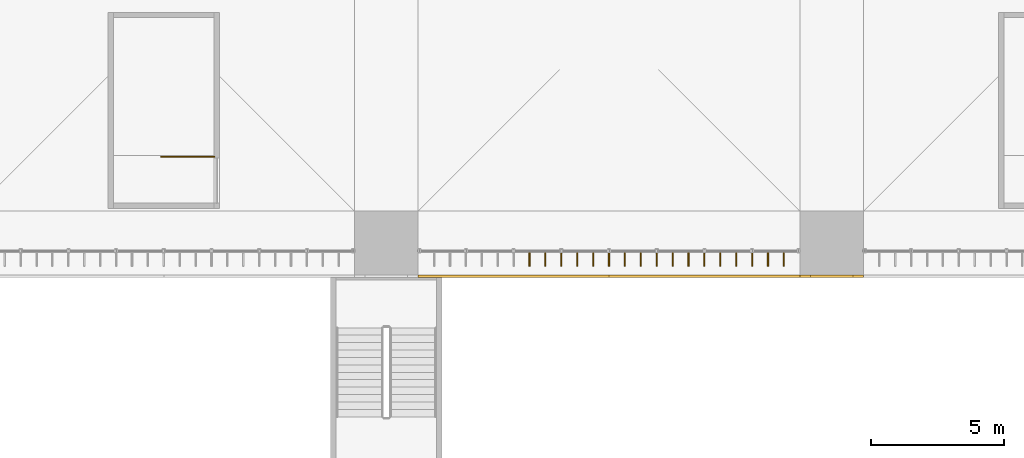
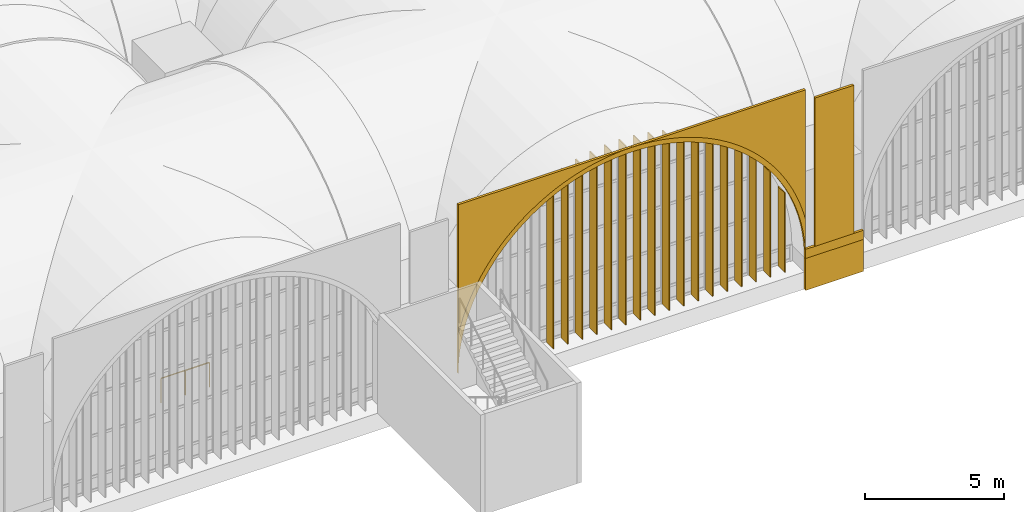
# One storey, part 149 of 169: 17 shading devices, 6 coverings, 1 railing.
"""IFC4 building model written with IfcOpenShell, lengths in metres."""

from ifc_helpers import new_model, si_unit, direction, frame, origin, origin_2d, place, context, subcontext, project, spatial, polyline, rectangle, circle, outline, extrude, material, layer, layer_set, type_object, element, save


model = new_model("IFC4")

# Units and contexts
model_context = context("Model", 3, precision=1e-05, world=origin(), true_north=direction((0.0, 1.0)))
body_context = subcontext(model_context, "Body", "Model", "MODEL_VIEW")
ifc_project = project(units=[si_unit("LENGTHUNIT", "METRE"), si_unit("AREAUNIT", "SQUARE_METRE"), si_unit("VOLUMEUNIT", "CUBIC_METRE"), si_unit("PLANEANGLEUNIT", "RADIAN"), si_unit("MASSUNIT", "GRAM", prefix="KILO")], contexts=[model_context])

# Site, building, storey
site_placement = place(None, origin())
site = spatial("IfcSite", under=ifc_project, at=site_placement, CompositionType="ELEMENT")
building_placement = place(site_placement, origin())
building = spatial("IfcBuilding", under=site, at=building_placement, Name="Verrick Yard Athletic Hall", CompositionType="ELEMENT")
storey_placement = place(building_placement, frame((0.0, 0.0, 4.39990234375)))
storey = spatial("IfcBuildingStorey", under=building, at=storey_placement, Name="L01", CompositionType="ELEMENT", Elevation=4.39990234375)

# Shading devices
ifc_material_1 = material(Name="Anodised aluminium", Category="aluminium")
ifc_layer_1 = layer(ifc_material_1, 0.0400390625)
ifc_layer_set_1 = layer_set([ifc_layer_1], Name="Arcade fin")
shading_device_type = type_object("IfcShadingDeviceType", Name="Arcade fin", PredefinedType="USERDEFINED", material=ifc_layer_set_1)
shading_device_1_placement = place(storey_placement, frame((62.199951171875, 18.82373046875, 0.0), z_axis=(0.0, 0.0, 1.0), x_axis=(0.0, -1.0, 0.0)))
element("IfcShadingDevice", 1, at=shading_device_1_placement, inside=storey, type_object=shading_device_type, Name="Fin RS2.7", ObjectType="FIN", PredefinedType="USERDEFINED", context=body_context, shape_type="SweptSolid", body=[
    extrude(outline(polyline([(0.0, 0.0), (0.5, 0.0), (0.5, 7.18505859375), (0.0, 7.18505859375), (0.0, 0.0)])), frame((0.0, 0.02001953125, 0.0), z_axis=(0.0, -1.0, 0.0), x_axis=(1.0, 0.0, 0.0)), (0.0, 0.0, 1.0), 0.0400390625),
])
shading_device_2_placement = place(storey_placement, frame((62.800048828125, 18.82373046875, 0.0), z_axis=(0.0, 0.0, 1.0), x_axis=(0.0, -1.0, 0.0)))
element("IfcShadingDevice", 2, at=shading_device_2_placement, inside=storey, type_object=shading_device_type, Name="Fin RS2.8", ObjectType="FIN", PredefinedType="USERDEFINED", context=body_context, shape_type="SweptSolid", body=[
    extrude(outline(polyline([(0.0, 0.0), (0.5, 0.0), (0.5, 7.4296875), (0.0, 7.4296875), (0.0, 0.0)])), frame((0.0, 0.02001953125, 0.0), z_axis=(0.0, -1.0, 0.0), x_axis=(1.0, 0.0, 0.0)), (0.0, 0.0, 1.0), 0.0400390625),
])
shading_device_3_placement = place(storey_placement, frame((63.39990234375, 18.82373046875, 0.0), z_axis=(0.0, 0.0, 1.0), x_axis=(0.0, -1.0, 0.0)))
element("IfcShadingDevice", 3, at=shading_device_3_placement, inside=storey, type_object=shading_device_type, Name="Fin RS2.9", ObjectType="FIN", PredefinedType="USERDEFINED", context=body_context, shape_type="SweptSolid", body=[
    extrude(outline(polyline([(0.0, 0.0), (0.5, 0.0), (0.5, 7.614990234375), (0.0, 7.614990234375), (0.0, 0.0)])), frame((0.0, 0.02001953125, 0.0), z_axis=(0.0, -1.0, 0.0), x_axis=(1.0, 0.0, 0.0)), (0.0, 0.0, 1.0), 0.0400390625),
])
shading_device_4_placement = place(storey_placement, frame((64.0, 18.82373046875, 0.0), z_axis=(0.0, 0.0, 1.0), x_axis=(0.0, -1.0, 0.0)))
element("IfcShadingDevice", 4, at=shading_device_4_placement, inside=storey, type_object=shading_device_type, Name="Fin RS2.10", ObjectType="FIN", PredefinedType="USERDEFINED", context=body_context, shape_type="SweptSolid", body=[
    extrude(outline(polyline([(0.0, 0.0), (0.5, 0.0), (0.5, 7.744873046875), (0.0, 7.744873046875), (0.0, 0.0)])), frame((0.0, 0.02001953125, 0.0), z_axis=(0.0, -1.0, 0.0), x_axis=(1.0, 0.0, 0.0)), (0.0, 0.0, 1.0), 0.0400390625),
])
shading_device_5_placement = place(storey_placement, frame((64.60009765625, 18.82373046875, 0.0), z_axis=(0.0, 0.0, 1.0), x_axis=(0.0, -1.0, 0.0)))
element("IfcShadingDevice", 5, at=shading_device_5_placement, inside=storey, type_object=shading_device_type, Name="Fin RS2.11", ObjectType="FIN", PredefinedType="USERDEFINED", context=body_context, shape_type="SweptSolid", body=[
    extrude(outline(polyline([(0.0, 0.0), (0.5, 0.0), (0.5, 7.82275390625), (0.0, 7.82275390625), (0.0, 0.0)])), frame((0.0, 0.02001953125, 0.0), z_axis=(0.0, -1.0, 0.0), x_axis=(1.0, 0.0, 0.0)), (0.0, 0.0, 1.0), 0.0400390625),
])
shading_device_6_placement = place(storey_placement, frame((65.199951171875, 18.82373046875, 0.0), z_axis=(0.0, 0.0, 1.0), x_axis=(0.0, -1.0, 0.0)))
element("IfcShadingDevice", 6, at=shading_device_6_placement, inside=storey, type_object=shading_device_type, Name="Fin RS2.12", ObjectType="FIN", PredefinedType="USERDEFINED", context=body_context, shape_type="SweptSolid", body=[
    extrude(outline(polyline([(0.0, 0.0), (0.5, 0.0), (0.5, 7.84912109375), (0.0, 7.84912109375), (0.0, 0.0)])), frame((0.0, 0.02001953125, 0.0), z_axis=(0.0, -1.0, 0.0), x_axis=(1.0, 0.0, 0.0)), (0.0, 0.0, 1.0), 0.0400390625),
])
shading_device_7_placement = place(storey_placement, frame((65.800048828125, 18.82373046875, 0.0), z_axis=(0.0, 0.0, 1.0), x_axis=(0.0, -1.0, 0.0)))
element("IfcShadingDevice", 7, at=shading_device_7_placement, inside=storey, type_object=shading_device_type, Name="Fin RS2.13", ObjectType="FIN", PredefinedType="USERDEFINED", context=body_context, shape_type="SweptSolid", body=[
    extrude(outline(polyline([(0.0, 0.0), (0.5, 0.0), (0.5, 7.82275390625), (0.0, 7.82275390625), (0.0, 0.0)])), frame((0.0, 0.02001953125, 0.0), z_axis=(0.0, -1.0, 0.0), x_axis=(1.0, 0.0, 0.0)), (0.0, 0.0, 1.0), 0.0400390625),
])
shading_device_8_placement = place(storey_placement, frame((66.39990234375, 18.82373046875, 0.0), z_axis=(0.0, 0.0, 1.0), x_axis=(0.0, -1.0, 0.0)))
element("IfcShadingDevice", 8, at=shading_device_8_placement, inside=storey, type_object=shading_device_type, Name="Fin RS2.14", ObjectType="FIN", PredefinedType="USERDEFINED", context=body_context, shape_type="SweptSolid", body=[
    extrude(outline(polyline([(0.0, 0.0), (0.5, 0.0), (0.5, 7.744873046875), (0.0, 7.744873046875), (0.0, 0.0)])), frame((0.0, 0.02001953125, 0.0), z_axis=(0.0, -1.0, 0.0), x_axis=(1.0, 0.0, 0.0)), (0.0, 0.0, 1.0), 0.0400390625),
])
shading_device_9_placement = place(storey_placement, frame((67.0, 18.82373046875, 0.0), z_axis=(0.0, 0.0, 1.0), x_axis=(0.0, -1.0, 0.0)))
element("IfcShadingDevice", 9, at=shading_device_9_placement, inside=storey, type_object=shading_device_type, Name="Fin RS2.15", ObjectType="FIN", PredefinedType="USERDEFINED", context=body_context, shape_type="SweptSolid", body=[
    extrude(outline(polyline([(0.0, 0.0), (0.5, 0.0), (0.5, 7.614990234375), (0.0, 7.614990234375), (0.0, 0.0)])), frame((0.0, 0.02001953125, 0.0), z_axis=(0.0, -1.0, 0.0), x_axis=(1.0, 0.0, 0.0)), (0.0, 0.0, 1.0), 0.0400390625),
])
shading_device_10_placement = place(storey_placement, frame((67.60009765625, 18.82373046875, 0.0), z_axis=(0.0, 0.0, 1.0), x_axis=(0.0, -1.0, 0.0)))
element("IfcShadingDevice", 10, at=shading_device_10_placement, inside=storey, type_object=shading_device_type, Name="Fin RS2.16", ObjectType="FIN", PredefinedType="USERDEFINED", context=body_context, shape_type="SweptSolid", body=[
    extrude(outline(polyline([(0.0, 0.0), (0.5, 0.0), (0.5, 7.4296875), (0.0, 7.4296875), (0.0, 0.0)])), frame((0.0, 0.02001953125, 0.0), z_axis=(0.0, -1.0, 0.0), x_axis=(1.0, 0.0, 0.0)), (0.0, 0.0, 1.0), 0.0400390625),
])
shading_device_11_placement = place(storey_placement, frame((68.199951171875, 18.82373046875, 0.0), z_axis=(0.0, 0.0, 1.0), x_axis=(0.0, -1.0, 0.0)))
element("IfcShadingDevice", 11, at=shading_device_11_placement, inside=storey, type_object=shading_device_type, Name="Fin RS2.17", ObjectType="FIN", PredefinedType="USERDEFINED", context=body_context, shape_type="SweptSolid", body=[
    extrude(outline(polyline([(0.0, 0.0), (0.5, 0.0), (0.5, 7.18505859375), (0.0, 7.18505859375), (0.0, 0.0)])), frame((0.0, 0.02001953125, 0.0), z_axis=(0.0, -1.0, 0.0), x_axis=(1.0, 0.0, 0.0)), (0.0, 0.0, 1.0), 0.0400390625),
])
shading_device_12_placement = place(storey_placement, frame((68.800048828125, 18.82373046875, 0.0), z_axis=(0.0, 0.0, 1.0), x_axis=(0.0, -1.0, 0.0)))
element("IfcShadingDevice", 12, at=shading_device_12_placement, inside=storey, type_object=shading_device_type, Name="Fin RS2.18", ObjectType="FIN", PredefinedType="USERDEFINED", context=body_context, shape_type="SweptSolid", body=[
    extrude(outline(polyline([(0.0, 0.0), (0.5, 0.0), (0.5, 6.872802734375), (0.0, 6.872802734375), (0.0, 0.0)])), frame((0.0, 0.02001953125, 0.0), z_axis=(0.0, -1.0, 0.0), x_axis=(1.0, 0.0, 0.0)), (0.0, 0.0, 1.0), 0.0400390625),
])
shading_device_13_placement = place(storey_placement, frame((69.39990234375, 18.82373046875, 0.0), z_axis=(0.0, 0.0, 1.0), x_axis=(0.0, -1.0, 0.0)))
element("IfcShadingDevice", 13, at=shading_device_13_placement, inside=storey, type_object=shading_device_type, Name="Fin RS2.19", ObjectType="FIN", PredefinedType="USERDEFINED", context=body_context, shape_type="SweptSolid", body=[
    extrude(outline(polyline([(0.0, 0.0), (0.5, 0.0), (0.5, 6.481201171875), (0.0, 6.481201171875), (0.0, 0.0)])), frame((0.0, 0.02001953125, 0.0), z_axis=(0.0, -1.0, 0.0), x_axis=(1.0, 0.0, 0.0)), (0.0, 0.0, 1.0), 0.0400390625),
])
shading_device_14_placement = place(storey_placement, frame((70.0, 18.82373046875, 0.0), z_axis=(0.0, 0.0, 1.0), x_axis=(0.0, -1.0, 0.0)))
element("IfcShadingDevice", 14, at=shading_device_14_placement, inside=storey, type_object=shading_device_type, Name="Fin RS2.20", ObjectType="FIN", PredefinedType="USERDEFINED", context=body_context, shape_type="SweptSolid", body=[
    extrude(outline(polyline([(0.0, 0.0), (0.5, 0.0), (0.5, 5.996826171875), (0.0, 5.996826171875), (0.0, 0.0)])), frame((0.0, 0.02001953125, 0.0), z_axis=(0.0, -1.0, 0.0), x_axis=(1.0, 0.0, 0.0)), (0.0, 0.0, 1.0), 0.0400390625),
])
shading_device_15_placement = place(storey_placement, frame((70.60009765625, 18.82373046875, 0.0), z_axis=(0.0, 0.0, 1.0), x_axis=(0.0, -1.0, 0.0)))
element("IfcShadingDevice", 15, at=shading_device_15_placement, inside=storey, type_object=shading_device_type, Name="Fin RS2.21", ObjectType="FIN", PredefinedType="USERDEFINED", context=body_context, shape_type="SweptSolid", body=[
    extrude(outline(polyline([(0.0, 0.0), (0.5, 0.0), (0.5, 5.38671875), (0.0, 5.38671875), (0.0, 0.0)])), frame((0.0, 0.02001953125, 0.0), z_axis=(0.0, -1.0, 0.0), x_axis=(1.0, 0.0, 0.0)), (0.0, 0.0, 1.0), 0.0400390625),
])
shading_device_16_placement = place(storey_placement, frame((71.199951171875, 18.82373046875, 0.0), z_axis=(0.0, 0.0, 1.0), x_axis=(0.0, -1.0, 0.0)))
element("IfcShadingDevice", 16, at=shading_device_16_placement, inside=storey, type_object=shading_device_type, Name="Fin RS2.22", ObjectType="FIN", PredefinedType="USERDEFINED", context=body_context, shape_type="SweptSolid", body=[
    extrude(outline(polyline([(0.0, 0.0), (0.5, 0.0), (0.5, 4.5966796875), (0.0, 4.5966796875), (0.0, 0.0)])), frame((0.0, 0.02001953125, 0.0), z_axis=(0.0, -1.0, 0.0), x_axis=(1.0, 0.0, 0.0)), (0.0, 0.0, 1.0), 0.0400390625),
])
shading_device_17_placement = place(storey_placement, frame((71.800048828125, 18.82373046875, 0.0), z_axis=(0.0, 0.0, 1.0), x_axis=(0.0, -1.0, 0.0)))
element("IfcShadingDevice", 17, at=shading_device_17_placement, inside=storey, type_object=shading_device_type, Name="Fin RS2.23", ObjectType="FIN", PredefinedType="USERDEFINED", context=body_context, shape_type="SweptSolid", body=[
    extrude(outline(polyline([(0.0, 0.0), (0.5, 0.0), (0.5, 3.4775390625), (0.0, 3.4775390625), (0.0, 0.0)])), frame((0.0, 0.02001953125, 0.0), z_axis=(0.0, -1.0, 0.0), x_axis=(1.0, 0.0, 0.0)), (0.0, 0.0, 1.0), 0.0400390625),
])

# Coverings
ifc_material_2 = material(Name="Limestone cladding", Category="masonry")
ifc_layer_2 = layer(ifc_material_2, 0.10009765625)
ifc_layer_set_2 = layer_set([ifc_layer_2], Name="Arch ring cladding")
covering_type_1 = type_object("IfcCoveringType", Name="Arch ring cladding", PredefinedType="CLADDING", material=ifc_layer_set_2)
covering_1_placement = place(storey_placement, frame((58.0, 17.949951171875, 0.650146484375), z_axis=(0.0, 0.0, 1.0), x_axis=(1.0, 0.0, 0.0)))
element("IfcCovering", 18, at=covering_1_placement, inside=storey, type_object=covering_type_1, Name="Arch ring RS2", PredefinedType="CLADDING", context=body_context, shape_type="SweptSolid", body=[
    extrude(outline(polyline([(0.0, 1.7021484375), (0.0, 0.0), (0.0068359375, 0.31396484375), (0.02734375, 0.62744140625), (0.0615234375, 0.939697265625), (0.109375, 1.250244140625), (0.170654296875, 1.558349609375), (0.245361328125, 1.863525390625), (0.333251953125, 2.1650390625), (0.43408203125, 2.46240234375), (0.548095703125, 2.75537109375), (0.674560546875, 3.04296875), (0.8134765625, 3.324462890625), (0.964599609375, 3.599853515625), (1.127685546875, 3.86865234375), (1.302001953125, 4.129638671875), (1.48779296875, 4.383056640625), (1.6845703125, 4.6279296875), (1.8916015625, 4.8642578125), (2.10888671875, 5.091064453125), (2.335693359375, 5.308349609375), (2.572021484375, 5.515380859375), (2.81689453125, 5.712158203125), (3.0703125, 5.89794921875), (3.331298828125, 6.072265625), (3.60009765625, 6.2353515625), (3.87548828125, 6.386474609375), (4.156982421875, 6.525390625), (4.444580078125, 6.65185546875), (4.737548828125, 6.765869140625), (5.034912109375, 6.86669921875), (5.33642578125, 6.95458984375), (5.6416015625, 7.029296875), (5.94970703125, 7.090576171875), (6.26025390625, 7.138427734375), (6.572509765625, 7.172607421875), (6.885986328125, 7.193115234375), (7.199951171875, 7.199951171875), (7.51416015625, 7.193115234375), (7.827392578125, 7.172607421875), (8.139892578125, 7.138427734375), (8.4501953125, 7.090576171875), (8.75830078125, 7.029296875), (9.0634765625, 6.95458984375), (9.364990234375, 6.86669921875), (9.66259765625, 6.765869140625), (9.955322265625, 6.65185546875), (10.242919921875, 6.525390625), (10.524658203125, 6.386474609375), (10.800048828125, 6.2353515625), (11.068603515625, 6.072265625), (11.329833984375, 5.89794921875), (11.5830078125, 5.712158203125), (11.828125, 5.515380859375), (12.064208984375, 5.308349609375), (12.291259765625, 5.091064453125), (12.50830078125, 4.8642578125), (12.715576171875, 4.6279296875), (12.912109375, 4.383056640625), (13.097900390625, 4.129638671875), (13.2724609375, 3.86865234375), (13.435302734375, 3.599853515625), (13.58642578125, 3.324462890625), (13.725341796875, 3.04296875), (13.851806640625, 2.75537109375), (13.9658203125, 2.46240234375), (14.06689453125, 2.1650390625), (14.15478515625, 1.863525390625), (14.229248046875, 1.558349609375), (14.29052734375, 1.250244140625), (14.33837890625, 0.939697265625), (14.37255859375, 0.62744140625), (14.39306640625, 0.31396484375), (14.39990234375, 0.0), (14.39990234375, 1.7021484375), (14.347900390625, 1.915283203125), (14.257568359375, 2.22509765625), (14.15380859375, 2.53076171875), (14.03662109375, 2.831787109375), (13.90673828125, 3.12744140625), (13.763916015625, 3.416748046875), (13.608642578125, 3.699951171875), (13.441162109375, 3.975830078125), (13.26171875, 4.244384765625), (13.07080078125, 4.504638671875), (12.86865234375, 4.756591796875), (12.656005859375, 4.999267578125), (12.4326171875, 5.232666015625), (12.199462890625, 5.455810546875), (11.95654296875, 5.668701171875), (11.704833984375, 5.870849609375), (11.444580078125, 6.061767578125), (11.176025390625, 6.240966796875), (10.89990234375, 6.408447265625), (10.616943359375, 6.56396484375), (10.327392578125, 6.70654296875), (10.031982421875, 6.836669921875), (9.73095703125, 6.95361328125), (9.42529296875, 7.057373046875), (9.115234375, 7.14794921875), (8.8017578125, 7.224609375), (8.485107421875, 7.28759765625), (8.166015625, 7.336669921875), (7.844970703125, 7.371826171875), (7.522705078125, 7.39306640625), (7.199951171875, 7.39990234375), (6.877197265625, 7.39306640625), (6.554931640625, 7.371826171875), (6.234130859375, 7.336669921875), (5.9150390625, 7.28759765625), (5.598388671875, 7.224609375), (5.28466796875, 7.14794921875), (4.974853515625, 7.057373046875), (4.669189453125, 6.95361328125), (4.3681640625, 6.836669921875), (4.072509765625, 6.70654296875), (3.783203125, 6.56396484375), (3.5, 6.408447265625), (3.22412109375, 6.240966796875), (2.95556640625, 6.061767578125), (2.6953125, 5.870849609375), (2.443359375, 5.668701171875), (2.20068359375, 5.455810546875), (1.96728515625, 5.232666015625), (1.744140625, 4.999267578125), (1.53125, 4.756591796875), (1.3291015625, 4.504638671875), (1.13818359375, 4.244384765625), (0.958984375, 3.975830078125), (0.79150390625, 3.699951171875), (0.635986328125, 3.416748046875), (0.493408203125, 3.12744140625), (0.36328125, 2.831787109375), (0.246337890625, 2.53076171875), (0.142578125, 2.22509765625), (0.052001953125, 1.915283203125), (0.0, 1.7021484375)])), frame((0.0, 0.050048828125, 0.0), z_axis=(0.0, -1.0, 0.0), x_axis=(1.0, 0.0, 0.0)), (0.0, 0.0, 1.0), 0.10009765625),
])
ifc_layer_3 = layer(ifc_material_2, 0.10009765625)
ifc_layer_set_3 = layer_set([ifc_layer_3], Name="Impost and capital moulding")
covering_type_2 = type_object("IfcCoveringType", Name="Impost and capital moulding", PredefinedType="MOLDING", material=ifc_layer_set_3)
covering_2_placement = place(storey_placement, frame((73.60009765625, 17.949951171875, 0.650146484375), z_axis=(0.0, 0.0, 1.0), x_axis=(1.0, 0.0, 0.0)))
element("IfcCovering", 19, at=covering_2_placement, inside=storey, type_object=covering_type_2, Name="Impost S3", PredefinedType="MOLDING", context=body_context, shape_type="SweptSolid", body=[
    extrude(rectangle(XDim=2.39990234375, YDim=0.10009765625, at=origin_2d()), origin(), (0.0, 0.0, 1.0), 0.39990234375),
])
ifc_material_3 = material(Name="Rusticated limestone cladding", Category="masonry")
ifc_layer_4 = layer(ifc_material_3, 0.10009765625)
ifc_layer_set_4 = layer_set([ifc_layer_4], Name="Pier base cladding")
covering_type_3 = type_object("IfcCoveringType", Name="Pier base cladding", PredefinedType="CLADDING", material=ifc_layer_set_4)
covering_3_placement = place(storey_placement, frame((73.60009765625, 17.949951171875, -0.749755859375), z_axis=(0.0, 0.0, 1.0), x_axis=(1.0, 0.0, 0.0)))
element("IfcCovering", 20, at=covering_3_placement, inside=storey, type_object=covering_type_3, Name="Pier string S3", PredefinedType="CLADDING", context=body_context, shape_type="SweptSolid", body=[
    extrude(rectangle(XDim=2.39990234375, YDim=0.10009765625, at=origin_2d()), origin(), (0.0, 0.0, 1.0), 1.39990234375),
])
ifc_layer_5 = layer(ifc_material_2, 0.10009765625)
ifc_layer_set_5 = layer_set([ifc_layer_5], Name="Pilaster cladding")
covering_type_4 = type_object("IfcCoveringType", Name="Pilaster cladding", PredefinedType="CLADDING", material=ifc_layer_set_5)
covering_4_placement = place(storey_placement, frame((73.60009765625, 17.949951171875, 1.050048828125), z_axis=(0.0, 0.0, 1.0), x_axis=(1.0, 0.0, 0.0)))
element("IfcCovering", 21, at=covering_4_placement, inside=storey, type_object=covering_type_4, Name="Pilaster S3", PredefinedType="CLADDING", context=body_context, shape_type="SweptSolid", body=[
    extrude(rectangle(XDim=1.60009765625, YDim=0.10009765625, at=origin_2d()), origin(), (0.0, 0.0, 1.0), 6.5),
])
ifc_layer_6 = layer(ifc_material_2, 0.10009765625)
ifc_layer_set_6 = layer_set([ifc_layer_6], Name="Spandrel cladding")
covering_type_5 = type_object("IfcCoveringType", Name="Spandrel cladding", PredefinedType="CLADDING", material=ifc_layer_set_6)
covering_5_placement = place(storey_placement, frame((58.0, 17.949951171875, 2.352294921875), z_axis=(0.0, 0.0, 1.0), x_axis=(1.0, 0.0, 0.0)))
element("IfcCovering", 22, at=covering_5_placement, inside=storey, type_object=covering_type_5, Name="Spandrel RS2.1", PredefinedType="CLADDING", context=body_context, shape_type="SweptSolid", body=[
    extrude(outline(polyline([(0.0, 0.0), (0.052001953125, 0.213134765625), (0.142578125, 0.52294921875), (0.246337890625, 0.82861328125), (0.36328125, 1.129638671875), (0.493408203125, 1.42529296875), (0.635986328125, 1.714599609375), (0.79150390625, 1.997802734375), (0.958984375, 2.273681640625), (1.13818359375, 2.542236328125), (1.3291015625, 2.802490234375), (1.53125, 3.054443359375), (1.744140625, 3.297119140625), (1.96728515625, 3.530517578125), (2.20068359375, 3.753662109375), (2.443359375, 3.966552734375), (2.6953125, 4.168701171875), (2.95556640625, 4.359619140625), (3.22412109375, 4.538818359375), (3.5, 4.706298828125), (3.783203125, 4.86181640625), (4.072509765625, 5.00439453125), (4.3681640625, 5.134521484375), (4.669189453125, 5.25146484375), (4.974853515625, 5.355224609375), (5.28466796875, 5.44580078125), (5.598388671875, 5.5224609375), (5.9150390625, 5.58544921875), (6.234130859375, 5.634521484375), (6.554931640625, 5.669677734375), (6.877197265625, 5.69091796875), (7.199951171875, 5.69775390625), (0.0, 5.69775390625), (0.0, 0.0)])), frame((0.0, 0.050048828125, 0.0), z_axis=(0.0, -1.0, 0.0), x_axis=(1.0, 0.0, 0.0)), (0.0, 0.0, 1.0), 0.10009765625),
])
covering_6_placement = place(storey_placement, frame((58.0, 17.949951171875, 2.352294921875), z_axis=(0.0, 0.0, 1.0), x_axis=(1.0, 0.0, 0.0)))
element("IfcCovering", 23, at=covering_6_placement, inside=storey, type_object=covering_type_5, Name="Spandrel RS2.2", PredefinedType="CLADDING", context=body_context, shape_type="SweptSolid", body=[
    extrude(outline(polyline([(7.199951171875, 5.69775390625), (7.522705078125, 5.69091796875), (7.844970703125, 5.669677734375), (8.166015625, 5.634521484375), (8.485107421875, 5.58544921875), (8.8017578125, 5.5224609375), (9.115234375, 5.44580078125), (9.42529296875, 5.355224609375), (9.73095703125, 5.25146484375), (10.031982421875, 5.134521484375), (10.327392578125, 5.00439453125), (10.616943359375, 4.86181640625), (10.89990234375, 4.706298828125), (11.176025390625, 4.538818359375), (11.444580078125, 4.359619140625), (11.704833984375, 4.168701171875), (11.95654296875, 3.966552734375), (12.199462890625, 3.753662109375), (12.4326171875, 3.530517578125), (12.656005859375, 3.297119140625), (12.86865234375, 3.054443359375), (13.07080078125, 2.802490234375), (13.26171875, 2.542236328125), (13.441162109375, 2.273681640625), (13.608642578125, 1.997802734375), (13.763916015625, 1.714599609375), (13.90673828125, 1.42529296875), (14.03662109375, 1.129638671875), (14.15380859375, 0.82861328125), (14.257568359375, 0.52294921875), (14.347900390625, 0.213134765625), (14.39990234375, 0.0), (14.39990234375, 5.69775390625), (7.199951171875, 5.69775390625)])), frame((0.0, 0.050048828125, 0.0), z_axis=(0.0, -1.0, 0.0), x_axis=(1.0, 0.0, 0.0)), (0.0, 0.0, 1.0), 0.10009765625),
])

# Railing
ifc_material_4 = material(Name="Stainless steel", Category="steel")
railing_type = type_object("IfcRailingType", Name="Stair and core guard 1100", PredefinedType="GUARDRAIL", material=ifc_material_4)
railing_placement = place(storey_placement, frame((50.300048828125, 22.449951171875, 0.0)))
element("IfcRailing", 24, at=railing_placement, inside=storey, type_object=railing_type, Name="L01 South plinth exit 1 top well guard 1", PredefinedType="GUARDRAIL", context=body_context, shape_type="SweptSolid", body=[
    extrude(circle(Radius=0.02392578125, at=origin_2d()), frame((0.0, 0.0, 1.076171875), z_axis=(-1.0, 0.0, 0.0), x_axis=(0.0, -1.0, 0.0)), (0.0, 0.0, 1.0), 2.0),
    extrude(circle(Radius=0.02099609375, at=origin_2d()), origin(), (0.0, 0.0, 1.0), 1.052001953125),
    extrude(circle(Radius=0.02099609375, at=origin_2d()), frame((-1.0, 0.0, 0.0)), (0.0, 0.0, 1.0), 1.052001953125),
    extrude(circle(Radius=0.02099609375, at=origin_2d()), frame((-2.0, 0.0, 0.0)), (0.0, 0.0, 1.0), 1.052001953125),
])

save(model, "model.ifc")
